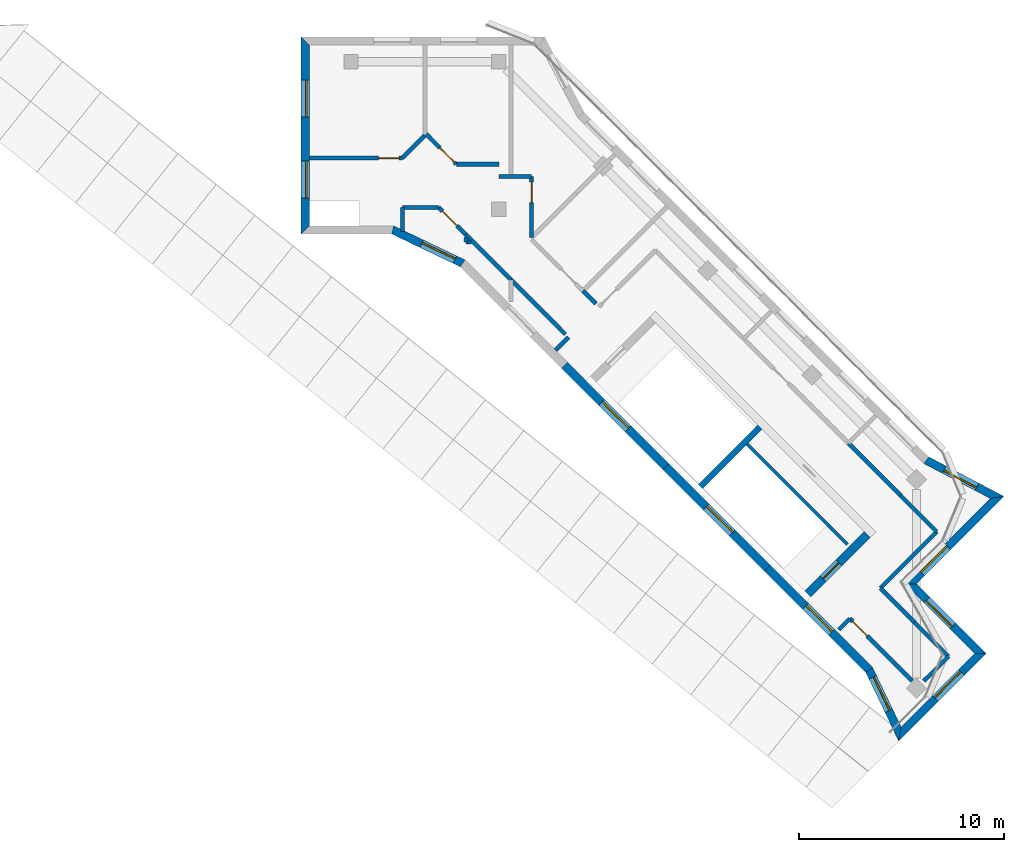
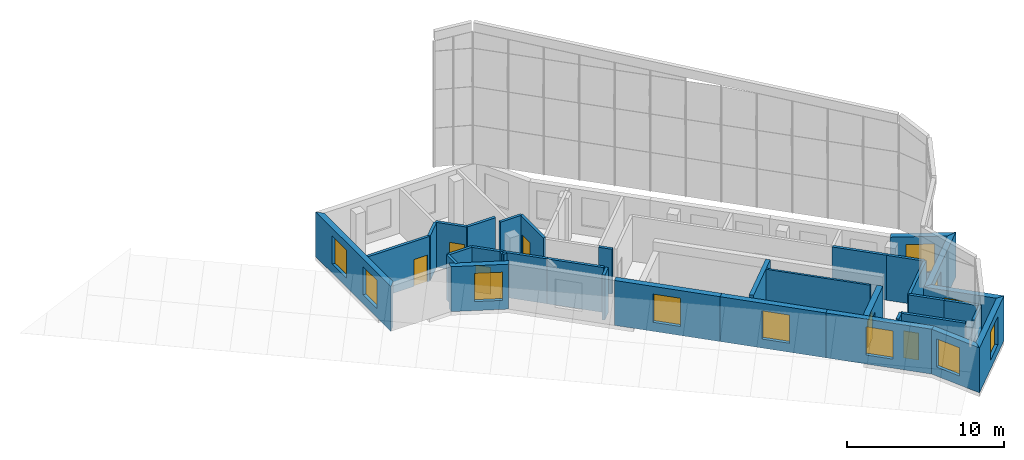
# One storey, part 8 of 9: 36 walls, 11 windows, 6 doors, 17 openings.
"""IFC4 building model written with IfcOpenShell, lengths in metres."""

from ifc_helpers import new_model, si_unit, direction, frame, frame_2d, origin, place, context, subcontext, project, spatial, polyline, rectangle, outline, extrude, material, layer, layer_set, type_object, element, fill, save


model = new_model("IFC4")

# Units and contexts
model_context = context("Model", 3, precision=1e-05, world=origin(), true_north=direction((0.0, 1.0)))
body_context = subcontext(model_context, "Body", "Model", "MODEL_VIEW")
ifc_project = project(units=[si_unit("LENGTHUNIT", "METRE"), si_unit("AREAUNIT", "SQUARE_METRE"), si_unit("VOLUMEUNIT", "CUBIC_METRE"), si_unit("PLANEANGLEUNIT", "RADIAN"), si_unit("MASSUNIT", "GRAM", prefix="KILO")], contexts=[model_context])

# Site, building, storey
site_placement = place(None, origin())
site = spatial("IfcSite", under=ifc_project, at=site_placement, CompositionType="ELEMENT")
building_placement = place(site_placement, origin())
building = spatial("IfcBuilding", under=site, at=building_placement, Name="Windrow Commons", CompositionType="ELEMENT")
storey_placement = place(building_placement, frame((0.0, 0.0, 309.6)))
storey = spatial("IfcBuildingStorey", under=building, at=storey_placement, Name="L84", CompositionType="ELEMENT", Elevation=309.6)

# Wall, opening, door
ifc_material_1 = material(Name="Blockwork partition", Category="masonry")
ifc_layer_1 = layer(ifc_material_1, 0.2)
ifc_layer_set_1 = layer_set([ifc_layer_1], Name="IW-CORRIDOR-200")
wall_type_1 = type_object("IfcWallType", Name="IW-CORRIDOR-200", PredefinedType="PARTITIONING", material=ifc_layer_set_1)
wall_1_placement = place(storey_placement, frame((96.3154, 44.8514, 0.0), z_axis=(0.0, 0.0, 1.0), x_axis=(0.7071067812, -0.7071067812, 0.0)))
wall_1 = element("IfcWall", 1, at=wall_1_placement, inside=storey, type_object=wall_type_1, Name="W-L84-W005", PredefinedType="PARTITIONING", context=body_context, shape_type="SweptSolid", body=[
    extrude(rectangle(XDim=4.3049, YDim=0.2, at=frame_2d((2.1524, 0.0))), origin(), (0.0, 0.0, 1.0), 3.5),
])
opening_1_placement = place(wall_1_placement, frame((0.2014, 0.0, 0.0)))
opening_1 = element("IfcOpeningElement", 2, at=opening_1_placement, cuts=wall_1, Name="Opening D410F", PredefinedType="OPENING", context=body_context, shape_type="SweptSolid", body=[
    extrude(rectangle(XDim=1.0, YDim=2.1, at=frame_2d((0.5, 1.05))), frame((0.0, 0.11, 0.0), z_axis=(0.0, -1.0, 0.0), x_axis=(1.0, 0.0, 0.0)), (0.0, 0.0, 1.0), 0.22),
])
ifc_material_2 = material(Name="Timber door leaf", Category="wood")
door_type_1 = type_object("IfcDoorType", Name="DT-SERVICE-1000", OperationType="SINGLE_SWING_LEFT", PredefinedType="DOOR", material=ifc_material_2)
door_1_placement = place(opening_1_placement, origin())
door_1 = element("IfcDoor", 3, at=door_1_placement, inside=storey, type_object=door_type_1, Name="D-L84-D007", OperationType="SINGLE_SWING_RIGHT", OverallHeight=2.1, OverallWidth=1.0, PredefinedType="DOOR", context=body_context, shape_type="SweptSolid", body=[
    extrude(rectangle(XDim=1.0, YDim=2.1, at=frame_2d((0.5, 1.05))), frame((0.0, 0.025, 0.0), z_axis=(0.0, -1.0, 0.0), x_axis=(1.0, 0.0, 0.0)), (0.0, 0.0, 1.0), 0.05),
])
fill(opening_1, door_1)

# Walls
wall_2_placement = place(storey_placement, frame((97.7956, 46.3324, 0.0), z_axis=(0.0, 0.0, 1.0), x_axis=(0.7071067812, 0.7071067812, 0.0)))
element("IfcWall", 4, at=wall_2_placement, inside=storey, type_object=wall_type_1, Name="W-L84-W006", PredefinedType="PARTITIONING", context=body_context, shape_type="SweptSolid", body=[
    extrude(rectangle(XDim=3.9004, YDim=0.2, at=frame_2d((1.9502, 0.0))), origin(), (0.0, 0.0, 1.0), 3.5),
])
wall_3_placement = place(storey_placement, frame((79.7999, 61.3599, 0.0), z_axis=(0.0, 0.0, 1.0), x_axis=(0.7068402, -0.707373262, 0.0)))
element("IfcWall", 5, at=wall_3_placement, inside=storey, type_object=wall_type_1, Name="W-L84-W008", PredefinedType="PARTITIONING", context=body_context, shape_type="SweptSolid", body=[
    extrude(rectangle(XDim=3.7519, YDim=0.2, at=frame_2d((1.876, 0.0))), origin(), (0.0, 0.0, 1.0), 3.5),
])
wall_4_placement = place(storey_placement, frame((96.2437, 53.4057, 0.0), z_axis=(0.0, 0.0, 1.0), x_axis=(0.7068288851, -0.7073845681, 0.0)))
element("IfcWall", 6, at=wall_4_placement, inside=storey, type_object=wall_type_1, Name="W-L84-W009", PredefinedType="PARTITIONING", context=body_context, shape_type="SweptSolid", body=[
    extrude(rectangle(XDim=3.5992, YDim=0.2, at=frame_2d((1.7996, 0.0))), origin(), (0.0, 0.0, 1.0), 3.5),
])

# Wall, opening, door
wall_5_placement = place(storey_placement, frame((69.967, 67.3, 0.0), z_axis=(0.0, 0.0, 1.0), x_axis=(1.0, 0.0, 0.0)))
wall_5 = element("IfcWall", 7, at=wall_5_placement, inside=storey, type_object=wall_type_1, Name="W-L84-W010", PredefinedType="PARTITIONING", context=body_context, shape_type="SweptSolid", body=[
    extrude(rectangle(XDim=4.533, YDim=0.2, at=frame_2d((2.2665, 0.0))), origin(), (0.0, 0.0, 1.0), 3.5),
])
opening_2_placement = place(wall_5_placement, frame((3.3804, 0.0, 0.0)))
opening_2 = element("IfcOpeningElement", 8, at=opening_2_placement, cuts=wall_5, Name="Opening D410F", PredefinedType="OPENING", context=body_context, shape_type="SweptSolid", body=[
    extrude(rectangle(XDim=1.0, YDim=2.1, at=frame_2d((0.5, 1.05))), frame((0.0, 0.11, 0.0), z_axis=(0.0, -1.0, 0.0), x_axis=(1.0, 0.0, 0.0)), (0.0, 0.0, 1.0), 0.22),
])
door_2_placement = place(opening_2_placement, origin())
door_2 = element("IfcDoor", 9, at=door_2_placement, inside=storey, type_object=door_type_1, Name="D-L84-D001", OperationType="SINGLE_SWING_RIGHT", OverallHeight=2.1, OverallWidth=1.0, PredefinedType="DOOR", context=body_context, shape_type="SweptSolid", body=[
    extrude(rectangle(XDim=1.0, YDim=2.1, at=frame_2d((0.5, 1.05))), frame((0.0, 0.025, 0.0), z_axis=(0.0, -1.0, 0.0), x_axis=(1.0, 0.0, 0.0)), (0.0, 0.0, 1.0), 0.05),
])
fill(opening_2, door_2)

wall_6_placement = place(storey_placement, frame((80.8, 63.418, 0.0), z_axis=(0.0, 0.0, 1.0), x_axis=(0.0, 1.0, 0.0)))
wall_6 = element("IfcWall", 10, at=wall_6_placement, inside=storey, type_object=wall_type_1, Name="W-L84-W013", PredefinedType="PARTITIONING", context=body_context, shape_type="SweptSolid", body=[
    extrude(rectangle(XDim=2.98, YDim=0.2, at=frame_2d((1.49, 0.0))), origin(), (0.0, 0.0, 1.0), 3.5),
])
opening_3_placement = place(wall_6_placement, frame((1.7075, 0.0, 0.0)))
opening_3 = element("IfcOpeningElement", 11, at=opening_3_placement, cuts=wall_6, Name="Opening D410F", PredefinedType="OPENING", context=body_context, shape_type="SweptSolid", body=[
    extrude(rectangle(XDim=1.0, YDim=2.1, at=frame_2d((0.5, 1.05))), frame((0.0, 0.11, 0.0), z_axis=(0.0, -1.0, 0.0), x_axis=(1.0, 0.0, 0.0)), (0.0, 0.0, 1.0), 0.22),
])
door_3_placement = place(opening_3_placement, origin())
door_3 = element("IfcDoor", 12, at=door_3_placement, inside=storey, type_object=door_type_1, Name="D-L84-D003", OperationType="SINGLE_SWING_RIGHT", OverallHeight=2.1, OverallWidth=1.0, PredefinedType="DOOR", context=body_context, shape_type="SweptSolid", body=[
    extrude(rectangle(XDim=1.0, YDim=2.1, at=frame_2d((0.5, 1.05))), frame((0.0, 0.025, 0.0), z_axis=(0.0, -1.0, 0.0), x_axis=(1.0, 0.0, 0.0)), (0.0, 0.0, 1.0), 0.05),
])
fill(opening_3, door_3)

# Walls
wall_7_placement = place(storey_placement, frame((77.6034, 63.5634, 0.0), z_axis=(0.0, 0.0, 1.0), x_axis=(0.7071067812, -0.7071067812, 0.0)))
element("IfcWall", 13, at=wall_7_placement, inside=storey, type_object=wall_type_1, Name="W-L84-W014", PredefinedType="PARTITIONING", context=body_context, shape_type="SweptSolid", body=[
    extrude(rectangle(XDim=3.1113, YDim=0.2, at=frame_2d((1.5556, 0.0))), origin(), (0.0, 0.0, 1.0), 3.5),
])
wall_8_placement = place(storey_placement, frame((98.783, 50.855, 0.0), z_axis=(0.0, 0.0, 1.0), x_axis=(0.7071067812, -0.7071067812, 0.0)))
element("IfcWall", 14, at=wall_8_placement, inside=storey, type_object=wall_type_1, Name="W-L84-W015", PredefinedType="PARTITIONING", context=body_context, shape_type="SweptSolid", body=[
    extrude(rectangle(XDim=2.5003, YDim=0.2, at=frame_2d((1.2502, 0.0))), origin(), (0.0, 0.0, 1.0), 3.5),
])
for number, where, z_axis, x_axis, name in (
    (15, (99.4576, 44.6696, 0.0), (0.0, 0.0, 1.0), (0.7075323644, -0.7066809416, 0.0), "W-L84-W016"),
    (16, (97.8, 46.334, 0.0), (0.0, 0.0, 1.0), (0.7066809416, -0.7075323644, 0.0), "W-L84-W017"),
):
    element("IfcWall", number, at=place(storey_placement, frame(where, z_axis=z_axis, x_axis=x_axis)), inside=storey, type_object=wall_type_1, Name=name, PredefinedType="PARTITIONING", context=body_context, shape_type="SweptSolid", body=[
        extrude(rectangle(XDim=2.349, YDim=0.2, at=frame_2d((1.1745, 0.0))), origin(), (0.0, 0.0, 1.0), 3.5),
    ])
wall_9_placement = place(storey_placement, frame((77.13, 67.0, 0.0), z_axis=(0.0, 0.0, 1.0), x_axis=(1.0, 0.0, 0.0)))
element("IfcWall", 17, at=wall_9_placement, inside=storey, type_object=wall_type_1, Name="W-L84-W020", PredefinedType="PARTITIONING", context=body_context, shape_type="SweptSolid", body=[
    extrude(rectangle(XDim=2.07, YDim=0.2, at=frame_2d((1.035, 0.0))), origin(), (0.0, 0.0, 1.0), 3.5),
])

# Wall, opening, door
wall_10_placement = place(storey_placement, frame((75.6669, 68.4649, 0.0), z_axis=(0.0, 0.0, 1.0), x_axis=(0.7066232895, -0.7075899425, 0.0)))
wall_10 = element("IfcWall", 18, at=wall_10_placement, inside=storey, type_object=wall_type_1, Name="W-L84-W021", PredefinedType="PARTITIONING", context=body_context, shape_type="SweptSolid", body=[
    extrude(rectangle(XDim=2.069, YDim=0.2, at=frame_2d((1.0345, 0.0))), origin(), (0.0, 0.0, 1.0), 3.5),
])
opening_4_placement = place(wall_10_placement, frame((0.9335, 0.0, 0.0)))
opening_4 = element("IfcOpeningElement", 19, at=opening_4_placement, cuts=wall_10, Name="Opening D410F", PredefinedType="OPENING", context=body_context, shape_type="SweptSolid", body=[
    extrude(rectangle(XDim=1.0, YDim=2.1, at=frame_2d((0.5, 1.05))), frame((0.0, 0.11, 0.0), z_axis=(0.0, -1.0, 0.0), x_axis=(1.0, 0.0, 0.0)), (0.0, 0.0, 1.0), 0.22),
])
door_4_placement = place(opening_4_placement, origin())
door_4 = element("IfcDoor", 20, at=door_4_placement, inside=storey, type_object=door_type_1, Name="D-L84-D002", OperationType="SINGLE_SWING_LEFT", OverallHeight=2.1, OverallWidth=1.0, PredefinedType="DOOR", context=body_context, shape_type="SweptSolid", body=[
    extrude(rectangle(XDim=1.0, YDim=2.1, at=frame_2d((0.5, 1.05))), frame((0.0, 0.025, 0.0), z_axis=(0.0, -1.0, 0.0), x_axis=(1.0, 0.0, 0.0)), (0.0, 0.0, 1.0), 0.05),
])
fill(opening_4, door_4)

wall_11_placement = place(storey_placement, frame((76.2634, 64.9034, 0.0), z_axis=(0.0, 0.0, 1.0), x_axis=(0.7071067812, -0.7071067812, 0.0)))
wall_11 = element("IfcWall", 21, at=wall_11_placement, inside=storey, type_object=wall_type_1, Name="W-L84-W022", PredefinedType="PARTITIONING", context=body_context, shape_type="SweptSolid", body=[
    extrude(rectangle(XDim=1.895, YDim=0.2, at=frame_2d((0.9475, 0.0))), origin(), (0.0, 0.0, 1.0), 3.5),
])
opening_5_placement = place(wall_11_placement, frame((0.2682, 0.0, 0.0)))
opening_5 = element("IfcOpeningElement", 22, at=opening_5_placement, cuts=wall_11, Name="Opening D410F", PredefinedType="OPENING", context=body_context, shape_type="SweptSolid", body=[
    extrude(rectangle(XDim=1.0, YDim=2.1, at=frame_2d((0.5, 1.05))), frame((0.0, 0.11, 0.0), z_axis=(0.0, -1.0, 0.0), x_axis=(1.0, 0.0, 0.0)), (0.0, 0.0, 1.0), 0.22),
])
door_5_placement = place(opening_5_placement, origin())
door_5 = element("IfcDoor", 23, at=door_5_placement, inside=storey, type_object=door_type_1, Name="D-L84-D000", OperationType="SINGLE_SWING_RIGHT", OverallHeight=2.1, OverallWidth=1.0, PredefinedType="DOOR", context=body_context, shape_type="SweptSolid", body=[
    extrude(rectangle(XDim=1.0, YDim=2.1, at=frame_2d((0.5, 1.05))), frame((0.0, 0.025, 0.0), z_axis=(0.0, -1.0, 0.0), x_axis=(1.0, 0.0, 0.0)), (0.0, 0.0, 1.0), 0.05),
])
fill(opening_5, door_5)

# Walls
wall_12_placement = place(storey_placement, frame((74.502, 64.9, 0.0), z_axis=(0.0, 0.0, 1.0), x_axis=(1.0, 0.0, 0.0)))
element("IfcWall", 24, at=wall_12_placement, inside=storey, type_object=wall_type_1, Name="W-L84-W023", PredefinedType="PARTITIONING", context=body_context, shape_type="SweptSolid", body=[
    extrude(rectangle(XDim=1.756, YDim=0.2, at=frame_2d((0.878, 0.0))), origin(), (0.0, 0.0, 1.0), 3.5),
])
wall_13_placement = place(storey_placement, frame((99.9163, 41.8017, 0.0), z_axis=(0.0, 0.0, 1.0), x_axis=(0.7076933481, 0.7065197273, 0.0)))
element("IfcWall", 25, at=wall_13_placement, inside=storey, type_object=wall_type_1, Name="W-L84-W024", PredefinedType="PARTITIONING", context=body_context, shape_type="SweptSolid", body=[
    extrude(rectangle(XDim=1.7041, YDim=0.2, at=frame_2d((0.852, 0.0))), origin(), (0.0, 0.0, 1.0), 3.5),
])
wall_14_placement = place(storey_placement, frame((79.202, 66.4, 0.0), z_axis=(0.0, 0.0, 1.0), x_axis=(1.0, 0.0, 0.0)))
element("IfcWall", 26, at=wall_14_placement, inside=storey, type_object=wall_type_1, Name="W-L84-W026", PredefinedType="PARTITIONING", context=body_context, shape_type="SweptSolid", body=[
    extrude(rectangle(XDim=1.596, YDim=0.2, at=frame_2d((0.798, 0.0))), origin(), (0.0, 0.0, 1.0), 3.5),
])
wall_15_placement = place(storey_placement, frame((74.4992, 67.3008, 0.0), z_axis=(0.0, 0.0, 1.0), x_axis=(0.7071067812, 0.7071067812, 0.0)))
element("IfcWall", 27, at=wall_15_placement, inside=storey, type_object=wall_type_1, Name="W-L84-W027", PredefinedType="PARTITIONING", context=body_context, shape_type="SweptSolid", body=[
    extrude(rectangle(XDim=1.5556, YDim=0.2, at=frame_2d((0.7778, 0.0))), origin(), (0.0, 0.0, 1.0), 3.5),
])
wall_16_placement = place(storey_placement, frame((95.7808, 44.3176, 0.0), z_axis=(0.0, 0.0, 1.0), x_axis=(0.7071067812, 0.7071067812, 0.0)))
element("IfcWall", 28, at=wall_16_placement, inside=storey, type_object=wall_type_1, Name="W-L84-W029", PredefinedType="PARTITIONING", context=body_context, shape_type="SweptSolid", body=[
    extrude(rectangle(XDim=0.7507, YDim=0.2, at=frame_2d((0.3754, 0.0))), origin(), (0.0, 0.0, 1.0), 3.5),
])
wall_17_placement = place(storey_placement, frame((74.5, 63.73, 0.0), z_axis=(0.0, 0.0, 1.0), x_axis=(0.0, 1.0, 0.0)))
element("IfcWall", 29, at=wall_17_placement, inside=storey, type_object=wall_type_1, Name="W-L84-W031", PredefinedType="PARTITIONING", context=body_context, shape_type="SweptSolid", body=[
    extrude(rectangle(XDim=1.168, YDim=0.2, at=frame_2d((0.584, 0.0))), origin(), (0.0, 0.0, 1.0), 3.5),
])
wall_18_placement = place(storey_placement, frame((83.3053, 60.8313, 0.0), z_axis=(0.0, 0.0, 1.0), x_axis=(0.7071067812, -0.7071067812, 0.0)))
element("IfcWall", 30, at=wall_18_placement, inside=storey, type_object=wall_type_1, Name="W-L84-W032", PredefinedType="PARTITIONING", context=body_context, shape_type="SweptSolid", body=[
    extrude(rectangle(XDim=0.8994, YDim=0.2, at=frame_2d((0.4497, 0.0))), origin(), (0.0, 0.0, 1.0), 3.5),
])
for number, where, z_axis, x_axis, name in (
    (31, (77.6, 63.202, 0.0), (0.0, 0.0, 1.0), (0.0, 1.0, 0.0), "W-L84-W035"),
    (32, (77.602, 63.2, 0.0), (0.0, 0.0, 1.0), (1.0, 0.0, 0.0), "W-L84-W036"),
):
    element("IfcWall", number, at=place(storey_placement, frame(where, z_axis=z_axis, x_axis=x_axis)), inside=storey, type_object=wall_type_1, Name=name, PredefinedType="PARTITIONING", context=body_context, shape_type="SweptSolid", body=[
        extrude(rectangle(XDim=0.236, YDim=0.2, at=frame_2d((0.118, 0.0))), origin(), (0.0, 0.0, 1.0), 3.5),
    ])
wall_19_placement = place(storey_placement, frame((81.9566, 57.9297, 0.0), z_axis=(0.0, 0.0, 1.0), x_axis=(0.7079403378, 0.7062722408, 0.0)))
element("IfcWall", 33, at=wall_19_placement, inside=storey, type_object=wall_type_1, Name="W-L84-W030", PredefinedType="PARTITIONING", context=body_context, shape_type="SweptSolid", body=[
    extrude(outline(polyline([(0.0, -0.1), (0.8992, -0.1), (0.8992, 0.1), (0.0, 0.1), (0.0, -0.1)])), origin(), (0.0, 0.0, 1.0), 3.5),
])

# Wall, opening, door
ifc_material_3 = material(Name="Concrete C40/50", Category="concrete")
ifc_layer_2 = layer(ifc_material_3, 0.4)
ifc_layer_set_2 = layer_set([ifc_layer_2], Name="RC CORE WALL 400 C40/50")
wall_type_2 = type_object("IfcWallType", Name="RC CORE WALL 400 C40/50", PredefinedType="SHEAR", material=ifc_layer_set_2)
wall_20_placement = place(storey_placement, frame((94.2614, 46.0492, -0.3), z_axis=(0.0, 0.0, 1.0), x_axis=(0.7071067812, 0.7071067812, 0.0)))
wall_20 = element("IfcWall", 34, at=wall_20_placement, inside=storey, type_object=wall_type_2, Name="Core B wall outer-E", PredefinedType="SHEAR", context=body_context, shape_type="SweptSolid", body=[
    extrude(outline(polyline([(0.0, 0.0), (4.0999, 0.0), (4.1, 3.1), (0.0, 3.1), (0.0, 0.0)])), frame((0.0, 0.2, 0.0), z_axis=(0.0, -1.0, 0.0), x_axis=(1.0, 0.0, 0.0)), (0.0, 0.0, 1.0), 0.4),
])
opening_6_placement = place(wall_20_placement, frame((1.05, 0.0, 0.3)))
opening_6 = element("IfcOpeningElement", 35, at=opening_6_placement, cuts=wall_20, Name="Opening D7", PredefinedType="OPENING", context=body_context, shape_type="SweptSolid", body=[
    extrude(rectangle(XDim=1.1, YDim=2.1, at=frame_2d((0.55, 1.05))), frame((0.0, 0.21, 0.0), z_axis=(0.0, -1.0, 0.0), x_axis=(1.0, 0.0, 0.0)), (0.0, 0.0, 1.0), 0.42),
])
ifc_material_4 = material(Name="Steel fire door leaf", Category="steel")
door_type_2 = type_object("IfcDoorType", Name="Stair door 1100", OperationType="SINGLE_SWING_LEFT", PredefinedType="DOOR", material=ifc_material_4)
door_6_placement = place(opening_6_placement, origin())
door_6 = element("IfcDoor", 36, at=door_6_placement, inside=storey, type_object=door_type_2, Name="Stair door", OperationType="SINGLE_SWING_RIGHT", OverallHeight=2.1, OverallWidth=1.1, PredefinedType="DOOR", context=body_context, shape_type="SweptSolid", body=[
    extrude(rectangle(XDim=1.1, YDim=2.1, at=frame_2d((0.55, 1.05))), frame((0.0, 0.025, 0.0), z_axis=(0.0, -1.0, 0.0), x_axis=(1.0, 0.0, 0.0)), (0.0, 0.0, 1.0), 0.05),
])
fill(opening_6, door_6)

# Walls
ifc_material_5 = material(Name="Concrete C40/50", Category="concrete")
ifc_layer_3 = layer(ifc_material_5, 0.3)
ifc_layer_set_3 = layer_set([ifc_layer_3], Name="RC SHAFT WALL 300 C40/50")
wall_type_3 = type_object("IfcWallType", Name="RC SHAFT WALL 300 C40/50", PredefinedType="SOLIDWALL", material=ifc_layer_set_3)
wall_21_placement = place(storey_placement, frame((89.0288, 51.2818, 0.0), z_axis=(0.0, 0.0, 1.0), x_axis=(0.7071067812, 0.7071067812, 0.0)))
element("IfcWall", 37, at=wall_21_placement, inside=storey, type_object=wall_type_3, Name="Core B wall stair-mid", PredefinedType="SOLIDWALL", context=body_context, shape_type="SweptSolid", body=[
    extrude(outline(polyline([(0.0, 0.0), (4.0999, 0.0), (4.1, 3.5), (0.0, 3.5), (0.0, 0.0)])), frame((0.0, 0.15, 0.0), z_axis=(0.0, -1.0, 0.0), x_axis=(1.0, 0.0, 0.0)), (0.0, 0.0, 1.0), 0.3),
])
ifc_material_6 = material(Name="Blockwork partition", Category="masonry")
ifc_layer_4 = layer(ifc_material_6, 0.15)
ifc_layer_set_4 = layer_set([ifc_layer_4], Name="Riser partition 150")
wall_type_4 = type_object("IfcWallType", Name="Riser partition 150", PredefinedType="PARTITIONING", material=ifc_layer_set_4)
wall_22_placement = place(storey_placement, frame((91.3127, 53.3536, 0.0), z_axis=(0.0, 0.0, 1.0), x_axis=(0.7071140275, -0.7070995348, 0.0)))
element("IfcWall", 38, at=wall_22_placement, inside=storey, type_object=wall_type_4, Name="W-core-strip-B-L84", PredefinedType="PARTITIONING", context=body_context, shape_type="SweptSolid", body=[
    extrude(outline(polyline([(0.0, 0.0), (6.9, 0.0), (6.9, 3.5), (0.0, 3.5), (0.0, 0.0)])), frame((0.0, 0.075, 0.0), z_axis=(0.0, -1.0, 0.0), x_axis=(1.0, 0.0, 0.0)), (0.0, 0.0, 1.0), 0.15),
])

# Wall, opening, window
ifc_material_7 = material(Name="Standing seam zinc cladding on insulated masonry backing", Category="masonry")
ifc_layer_5 = layer(ifc_material_7, 0.4)
ifc_layer_set_5 = layer_set([ifc_layer_5], Name="Zinc clad crown wall 400")
wall_type_5 = type_object("IfcWallType", Name="Zinc clad crown wall 400", PredefinedType="SOLIDWALL", material=ifc_layer_set_5)
wall_23_placement = place(storey_placement, frame((102.676, 43.15, 0.0), z_axis=(0.0, 0.0, 1.0), x_axis=(-0.7070963646, 0.7071171977, 0.0)))
wall_23 = element("IfcWall", 39, at=wall_23_placement, inside=storey, type_object=wall_type_5, Name="Brick facade wall L84 1", PredefinedType="SOLIDWALL", context=body_context, shape_type="SweptSolid", body=[
    extrude(outline(polyline([(-0.2, -0.2), (4.6001, -0.2), (5.0001, 0.2), (0.2, 0.2), (-0.2, -0.2)])), origin(), (0.0, 0.0, 1.0), 3.5),
])
opening_7_placement = place(wall_23_placement, frame((1.9, 0.0, 0.7)))
opening_7 = element("IfcOpeningElement", 40, at=opening_7_placement, cuts=wall_23, Name="Opening W6", PredefinedType="OPENING", context=body_context, shape_type="SweptSolid", body=[
    extrude(rectangle(XDim=1.8, YDim=2.2, at=frame_2d((0.9, 1.1))), frame((0.0, 0.21, 0.0), z_axis=(0.0, -1.0, 0.0), x_axis=(1.0, 0.0, 0.0)), (0.0, 0.0, 1.0), 0.42),
])
ifc_material_8 = material(Name="Clear float glass in anodised aluminium frame", Category="aluminium")
window_type = type_object("IfcWindowType", Name="Window W6 crown 1800x2200", PartitioningType="SINGLE_PANEL", PredefinedType="WINDOW", material=ifc_material_8)
window_1_placement = place(opening_7_placement, origin())
window_1 = element("IfcWindow", 41, at=window_1_placement, inside=storey, type_object=window_type, Name="Window L84 1.1", OverallHeight=2.2, OverallWidth=1.8, PartitioningType="SINGLE_PANEL", PredefinedType="WINDOW", context=body_context, shape_type="SweptSolid", body=[
    extrude(rectangle(XDim=1.8, YDim=2.2, at=frame_2d((0.9, 1.1))), frame((0.0, 0.08, 0.0), z_axis=(0.0, -1.0, 0.0), x_axis=(1.0, 0.0, 0.0)), (0.0, 0.0, 1.0), 0.06),
])
fill(opening_7, window_1)

wall_24_placement = place(storey_placement, frame((99.2819, 46.5442, 0.0), z_axis=(0.0, 0.0, 1.0), x_axis=(0.7071067812, 0.7071067812, 0.0)))
wall_24 = element("IfcWall", 42, at=wall_24_placement, inside=storey, type_object=wall_type_5, Name="Brick facade wall L84 2", PredefinedType="SOLIDWALL", context=body_context, shape_type="SweptSolid", body=[
    extrude(outline(polyline([(0.2, -0.2), (6.23, -0.2), (5.6868, 0.2), (-0.2, 0.2), (0.2, -0.2)])), origin(), (0.0, 0.0, 1.0), 3.5),
])
opening_8_placement = place(wall_24_placement, frame((0.75, 0.0, 0.7)))
opening_8 = element("IfcOpeningElement", 43, at=opening_8_placement, cuts=wall_24, Name="Opening W6", PredefinedType="OPENING", context=body_context, shape_type="SweptSolid", body=[
    extrude(rectangle(XDim=1.8, YDim=2.2, at=frame_2d((0.9, 1.1))), frame((0.0, 0.21, 0.0), z_axis=(0.0, -1.0, 0.0), x_axis=(1.0, 0.0, 0.0)), (0.0, 0.0, 1.0), 0.42),
])
window_2_placement = place(opening_8_placement, origin())
window_2 = element("IfcWindow", 44, at=window_2_placement, inside=storey, type_object=window_type, Name="Window L84 2.1", OverallHeight=2.2, OverallWidth=1.8, PartitioningType="SINGLE_PANEL", PredefinedType="WINDOW", context=body_context, shape_type="SweptSolid", body=[
    extrude(rectangle(XDim=1.8, YDim=2.2, at=frame_2d((0.9, 1.1))), frame((0.0, 0.08, 0.0), z_axis=(0.0, -1.0, 0.0), x_axis=(1.0, 0.0, 0.0)), (0.0, 0.0, 1.0), 0.06),
])
fill(opening_8, window_2)

wall_25_placement = place(storey_placement, frame((103.4951, 50.7574, 0.0), z_axis=(0.0, 0.0, 1.0), x_axis=(-0.8850848595, 0.4654296848, 0.0)))
wall_25 = element("IfcWall", 45, at=wall_25_placement, inside=storey, type_object=wall_type_5, Name="Brick facade wall L84 3", PredefinedType="SOLIDWALL", context=body_context, shape_type="SweptSolid", body=[
    extrude(outline(polyline([(-0.2716, -0.2), (3.8735, -0.2), (3.9342, 0.2), (0.2716, 0.2), (-0.2716, -0.2)])), origin(), (0.0, 0.0, 1.0), 3.5),
])
opening_9_placement = place(wall_25_placement, frame((1.116, 0.0, 0.7)))
opening_9 = element("IfcOpeningElement", 46, at=opening_9_placement, cuts=wall_25, Name="Opening W6", PredefinedType="OPENING", context=body_context, shape_type="SweptSolid", body=[
    extrude(rectangle(XDim=1.8, YDim=2.2, at=frame_2d((0.9, 1.1))), frame((0.0, 0.21, 0.0), z_axis=(0.0, -1.0, 0.0), x_axis=(1.0, 0.0, 0.0)), (0.0, 0.0, 1.0), 0.42),
])
window_3_placement = place(opening_9_placement, origin())
window_3 = element("IfcWindow", 47, at=window_3_placement, inside=storey, type_object=window_type, Name="Window L84 3.1", OverallHeight=2.2, OverallWidth=1.8, PartitioningType="SINGLE_PANEL", PredefinedType="WINDOW", context=body_context, shape_type="SweptSolid", body=[
    extrude(rectangle(XDim=1.8, YDim=2.2, at=frame_2d((0.9, 1.1))), frame((0.0, 0.08, 0.0), z_axis=(0.0, -1.0, 0.0), x_axis=(1.0, 0.0, 0.0)), (0.0, 0.0, 1.0), 0.06),
])
fill(opening_9, window_3)

# Wall, openings, windows
wall_26_placement = place(storey_placement, frame((69.767, 73.0, 0.0), z_axis=(0.0, 0.0, 1.0), x_axis=(0.0, -1.0, 0.0)))
wall_26 = element("IfcWall", 48, at=wall_26_placement, inside=storey, type_object=wall_type_5, Name="Brick facade wall L84 9", PredefinedType="SOLIDWALL", context=body_context, shape_type="SweptSolid", body=[
    extrude(outline(polyline([(-0.2, -0.2), (9.4, -0.2), (9.0, 0.2), (0.2, 0.2), (-0.2, -0.2)])), origin(), (0.0, 0.0, 1.0), 3.5),
])
opening_10_placement = place(wall_26_placement, frame((1.9, 0.0, 0.7)))
opening_10 = element("IfcOpeningElement", 49, at=opening_10_placement, cuts=wall_26, Name="Opening W6", PredefinedType="OPENING", context=body_context, shape_type="SweptSolid", body=[
    extrude(rectangle(XDim=1.8, YDim=2.2, at=frame_2d((0.9, 1.1))), frame((0.0, 0.21, 0.0), z_axis=(0.0, -1.0, 0.0), x_axis=(1.0, 0.0, 0.0)), (0.0, 0.0, 1.0), 0.42),
])
opening_11_placement = place(wall_26_placement, frame((5.85, 0.0, 0.7)))
opening_11 = element("IfcOpeningElement", 50, at=opening_11_placement, cuts=wall_26, Name="Opening W6", PredefinedType="OPENING", context=body_context, shape_type="SweptSolid", body=[
    extrude(rectangle(XDim=1.8, YDim=2.2, at=frame_2d((0.9, 1.1))), frame((0.0, 0.21, 0.0), z_axis=(0.0, -1.0, 0.0), x_axis=(1.0, 0.0, 0.0)), (0.0, 0.0, 1.0), 0.42),
])
window_4_placement = place(opening_10_placement, origin())
window_4 = element("IfcWindow", 51, at=window_4_placement, inside=storey, type_object=window_type, Name="Window L84 9.1", OverallHeight=2.2, OverallWidth=1.8, PartitioningType="SINGLE_PANEL", PredefinedType="WINDOW", context=body_context, shape_type="SweptSolid", body=[
    extrude(rectangle(XDim=1.8, YDim=2.2, at=frame_2d((0.9, 1.1))), frame((0.0, 0.08, 0.0), z_axis=(0.0, -1.0, 0.0), x_axis=(1.0, 0.0, 0.0)), (0.0, 0.0, 1.0), 0.06),
])
fill(opening_10, window_4)
window_5_placement = place(opening_11_placement, origin())
window_5 = element("IfcWindow", 52, at=window_5_placement, inside=storey, type_object=window_type, Name="Window L84 9.2", OverallHeight=2.2, OverallWidth=1.8, PartitioningType="SINGLE_PANEL", PredefinedType="WINDOW", context=body_context, shape_type="SweptSolid", body=[
    extrude(rectangle(XDim=1.8, YDim=2.2, at=frame_2d((0.9, 1.1))), frame((0.0, 0.08, 0.0), z_axis=(0.0, -1.0, 0.0), x_axis=(1.0, 0.0, 0.0)), (0.0, 0.0, 1.0), 0.06),
])
fill(opening_11, window_5)

# Wall, opening, window
wall_27_placement = place(storey_placement, frame((74.0266, 63.8, 0.0), z_axis=(0.0, 0.0, 1.0), x_axis=(0.9017385778, -0.43228178, 0.0)))
wall_27 = element("IfcWall", 53, at=wall_27_placement, inside=storey, type_object=wall_type_5, Name="Brick facade wall L84 11", PredefinedType="SOLIDWALL", context=body_context, shape_type="SweptSolid", body=[
    extrude(outline(polyline([(0.0455, -0.2), (3.7506, -0.2), (3.819, 0.2), (-0.0455, 0.2), (0.0455, -0.2)])), origin(), (0.0, 0.0, 1.0), 3.5),
])
opening_12_placement = place(wall_27_placement, frame((1.5662, 0.0, 0.7)))
opening_12 = element("IfcOpeningElement", 54, at=opening_12_placement, cuts=wall_27, Name="Opening W6", PredefinedType="OPENING", context=body_context, shape_type="SweptSolid", body=[
    extrude(rectangle(XDim=1.8, YDim=2.2, at=frame_2d((0.9, 1.1))), frame((0.0, 0.21, 0.0), z_axis=(0.0, -1.0, 0.0), x_axis=(1.0, 0.0, 0.0)), (0.0, 0.0, 1.0), 0.42),
])
window_6_placement = place(opening_12_placement, origin())
window_6 = element("IfcWindow", 55, at=window_6_placement, inside=storey, type_object=window_type, Name="Window L84 11.1", OverallHeight=2.2, OverallWidth=1.8, PartitioningType="SINGLE_PANEL", PredefinedType="WINDOW", context=body_context, shape_type="SweptSolid", body=[
    extrude(rectangle(XDim=1.8, YDim=2.2, at=frame_2d((0.9, 1.1))), frame((0.0, 0.08, 0.0), z_axis=(0.0, -1.0, 0.0), x_axis=(1.0, 0.0, 0.0)), (0.0, 0.0, 1.0), 0.06),
])
fill(opening_12, window_6)

wall_28_placement = place(storey_placement, frame((82.4064, 57.197, 0.0), z_axis=(0.0, 0.0, 1.0), x_axis=(0.7071067812, -0.7071067812, 0.0)))
wall_28 = element("IfcWall", 56, at=wall_28_placement, inside=storey, type_object=wall_type_5, Name="Brick facade wall L84 13", PredefinedType="SOLIDWALL", context=body_context, shape_type="SweptSolid", body=[
    extrude(outline(polyline([(0.0, -0.2), (6.9901, -0.2), (6.9901, 0.2), (0.0, 0.2), (0.0, -0.2)])), origin(), (0.0, 0.0, 1.0), 3.5),
])
opening_13_placement = place(wall_28_placement, frame((2.5654, 0.0, 0.7)))
opening_13 = element("IfcOpeningElement", 57, at=opening_13_placement, cuts=wall_28, Name="Opening W6", PredefinedType="OPENING", context=body_context, shape_type="SweptSolid", body=[
    extrude(rectangle(XDim=1.8, YDim=2.2, at=frame_2d((0.9, 1.1))), frame((0.0, 0.21, 0.0), z_axis=(0.0, -1.0, 0.0), x_axis=(1.0, 0.0, 0.0)), (0.0, 0.0, 1.0), 0.42),
])
window_7_placement = place(opening_13_placement, origin())
window_7 = element("IfcWindow", 58, at=window_7_placement, inside=storey, type_object=window_type, Name="Window L84 13.1", OverallHeight=2.2, OverallWidth=1.8, PartitioningType="SINGLE_PANEL", PredefinedType="WINDOW", context=body_context, shape_type="SweptSolid", body=[
    extrude(rectangle(XDim=1.8, YDim=2.2, at=frame_2d((0.9, 1.1))), frame((0.0, 0.08, 0.0), z_axis=(0.0, -1.0, 0.0), x_axis=(1.0, 0.0, 0.0)), (0.0, 0.0, 1.0), 0.06),
])
fill(opening_13, window_7)

wall_29_placement = place(storey_placement, frame((87.3492, 52.2542, 0.0), z_axis=(0.0, 0.0, 1.0), x_axis=(0.7071139341, -0.7070996282, 0.0)))
wall_29 = element("IfcWall", 59, at=wall_29_placement, inside=storey, type_object=wall_type_5, Name="Brick facade wall L84 14", PredefinedType="SOLIDWALL", context=body_context, shape_type="SweptSolid", body=[
    extrude(outline(polyline([(0.0, -0.2), (6.9901, -0.2), (6.9901, 0.2), (0.0, 0.2), (0.0, -0.2)])), origin(), (0.0, 0.0, 1.0), 3.5),
])
opening_14_placement = place(wall_29_placement, frame((2.7753, 0.0, 0.7)))
opening_14 = element("IfcOpeningElement", 60, at=opening_14_placement, cuts=wall_29, Name="Opening W6", PredefinedType="OPENING", context=body_context, shape_type="SweptSolid", body=[
    extrude(rectangle(XDim=1.8, YDim=2.2, at=frame_2d((0.9, 1.1))), frame((0.0, 0.21, 0.0), z_axis=(0.0, -1.0, 0.0), x_axis=(1.0, 0.0, 0.0)), (0.0, 0.0, 1.0), 0.42),
])
window_8_placement = place(opening_14_placement, origin())
window_8 = element("IfcWindow", 61, at=window_8_placement, inside=storey, type_object=window_type, Name="Window L84 14.1", OverallHeight=2.2, OverallWidth=1.8, PartitioningType="SINGLE_PANEL", PredefinedType="WINDOW", context=body_context, shape_type="SweptSolid", body=[
    extrude(rectangle(XDim=1.8, YDim=2.2, at=frame_2d((0.9, 1.1))), frame((0.0, 0.08, 0.0), z_axis=(0.0, -1.0, 0.0), x_axis=(1.0, 0.0, 0.0)), (0.0, 0.0, 1.0), 0.06),
])
fill(opening_14, window_8)

wall_30_placement = place(storey_placement, frame((92.292, 47.3115, 0.0), z_axis=(0.0, 0.0, 1.0), x_axis=(0.707099663, -0.7071138993, 0.0)))
wall_30 = element("IfcWall", 62, at=wall_30_placement, inside=storey, type_object=wall_type_5, Name="Brick facade wall L84 15", PredefinedType="SOLIDWALL", context=body_context, shape_type="SweptSolid", body=[
    extrude(outline(polyline([(0.0, -0.2), (6.9901, -0.2), (7.0585, 0.2), (0.0, 0.2), (0.0, -0.2)])), origin(), (0.0, 0.0, 1.0), 3.5),
])
opening_15_placement = place(wall_30_placement, frame((2.6352, 0.0, 0.7)))
opening_15 = element("IfcOpeningElement", 63, at=opening_15_placement, cuts=wall_30, Name="Opening W6", PredefinedType="OPENING", context=body_context, shape_type="SweptSolid", body=[
    extrude(rectangle(XDim=1.8, YDim=2.2, at=frame_2d((0.9, 1.1))), frame((0.0, 0.21, 0.0), z_axis=(0.0, -1.0, 0.0), x_axis=(1.0, 0.0, 0.0)), (0.0, 0.0, 1.0), 0.42),
])
window_9_placement = place(opening_15_placement, origin())
window_9 = element("IfcWindow", 64, at=window_9_placement, inside=storey, type_object=window_type, Name="Window L84 15.1", OverallHeight=2.2, OverallWidth=1.8, PartitioningType="SINGLE_PANEL", PredefinedType="WINDOW", context=body_context, shape_type="SweptSolid", body=[
    extrude(rectangle(XDim=1.8, YDim=2.2, at=frame_2d((0.9, 1.1))), frame((0.0, 0.08, 0.0), z_axis=(0.0, -1.0, 0.0), x_axis=(1.0, 0.0, 0.0)), (0.0, 0.0, 1.0), 0.06),
])
fill(opening_15, window_9)

wall_31_placement = place(storey_placement, frame((97.2589, 42.3445, 0.0), z_axis=(0.0, 0.0, 1.0), x_axis=(0.432271135, -0.9017436808, 0.0)))
wall_31 = element("IfcWall", 65, at=wall_31_placement, inside=storey, type_object=wall_type_5, Name="Brick facade wall L84 16", PredefinedType="SOLIDWALL", context=body_context, shape_type="SweptSolid", body=[
    extrude(outline(polyline([(0.0342, -0.2), (3.7393, -0.2), (3.1745, 0.2), (-0.0342, 0.2), (0.0342, -0.2)])), origin(), (0.0, 0.0, 1.0), 3.5),
])
opening_16_placement = place(wall_31_placement, frame((0.3984, 0.0, 0.7)))
opening_16 = element("IfcOpeningElement", 66, at=opening_16_placement, cuts=wall_31, Name="Opening W6", PredefinedType="OPENING", context=body_context, shape_type="SweptSolid", body=[
    extrude(rectangle(XDim=1.8, YDim=2.2, at=frame_2d((0.9, 1.1))), frame((0.0, 0.21, 0.0), z_axis=(0.0, -1.0, 0.0), x_axis=(1.0, 0.0, 0.0)), (0.0, 0.0, 1.0), 0.42),
])
window_10_placement = place(opening_16_placement, origin())
window_10 = element("IfcWindow", 67, at=window_10_placement, inside=storey, type_object=window_type, Name="Window L84 16.1", OverallHeight=2.2, OverallWidth=1.8, PartitioningType="SINGLE_PANEL", PredefinedType="WINDOW", context=body_context, shape_type="SweptSolid", body=[
    extrude(rectangle(XDim=1.8, YDim=2.2, at=frame_2d((0.9, 1.1))), frame((0.0, 0.08, 0.0), z_axis=(0.0, -1.0, 0.0), x_axis=(1.0, 0.0, 0.0)), (0.0, 0.0, 1.0), 0.06),
])
fill(opening_16, window_10)

wall_32_placement = place(storey_placement, frame((98.7532, 39.2273, 0.0), z_axis=(0.0, 0.0, 1.0), x_axis=(0.707115794, 0.7070977682, 0.0)))
wall_32 = element("IfcWall", 68, at=wall_32_placement, inside=storey, type_object=wall_type_5, Name="Brick facade wall L84 17", PredefinedType="SOLIDWALL", context=body_context, shape_type="SweptSolid", body=[
    extrude(outline(polyline([(-0.2824, -0.2), (5.7476, -0.2), (5.3476, 0.2), (0.2824, 0.2), (-0.2824, -0.2)])), origin(), (0.0, 0.0, 1.0), 3.5),
])
opening_17_placement = place(wall_32_placement, frame((2.4476, 0.0, 0.7)))
opening_17 = element("IfcOpeningElement", 69, at=opening_17_placement, cuts=wall_32, Name="Opening W6", PredefinedType="OPENING", context=body_context, shape_type="SweptSolid", body=[
    extrude(rectangle(XDim=1.8, YDim=2.2, at=frame_2d((0.9, 1.1))), frame((0.0, 0.21, 0.0), z_axis=(0.0, -1.0, 0.0), x_axis=(1.0, 0.0, 0.0)), (0.0, 0.0, 1.0), 0.42),
])
window_11_placement = place(opening_17_placement, origin())
window_11 = element("IfcWindow", 70, at=window_11_placement, inside=storey, type_object=window_type, Name="Window L84 17.1", OverallHeight=2.2, OverallWidth=1.8, PartitioningType="SINGLE_PANEL", PredefinedType="WINDOW", context=body_context, shape_type="SweptSolid", body=[
    extrude(rectangle(XDim=1.8, YDim=2.2, at=frame_2d((0.9, 1.1))), frame((0.0, 0.08, 0.0), z_axis=(0.0, -1.0, 0.0), x_axis=(1.0, 0.0, 0.0)), (0.0, 0.0, 1.0), 0.06),
])
fill(opening_17, window_11)

save(model, "model.ifc")
